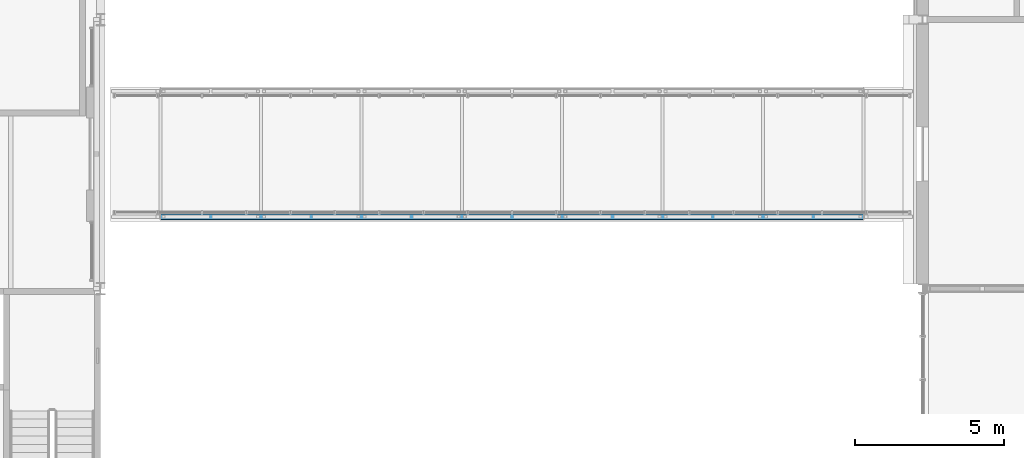
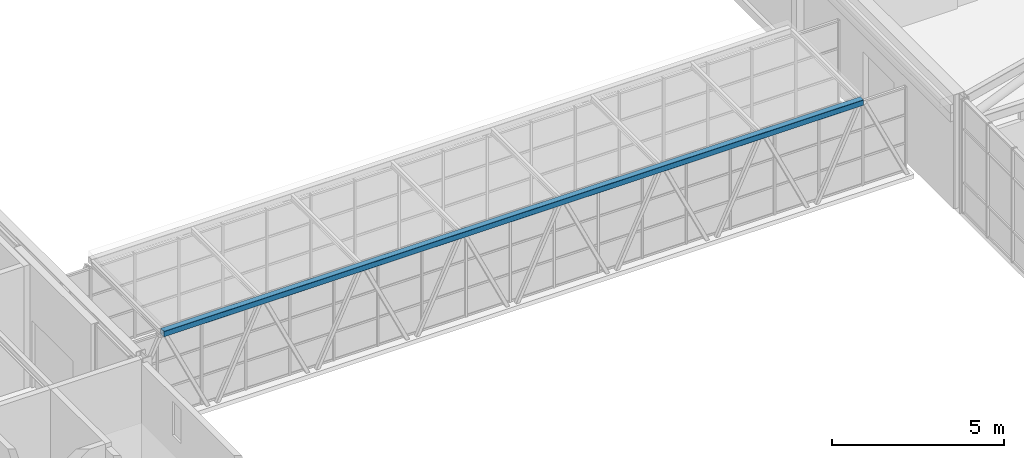
# One storey, part 55 of 149: 1 member.
"""IFC4 building model written with IfcOpenShell, lengths in metres."""

from ifc_helpers import new_model, si_unit, direction, frame, origin, origin_2d, place, context, subcontext, project, spatial, hollow_rectangle, extrude, material, material_profile, profile_set, type_object, element, save


model = new_model("IFC4")

# Units and contexts
model_context = context("Model", 3, precision=1e-05, world=origin(), true_north=direction((0.0, 1.0)))
body_context = subcontext(model_context, "Body", "Model", "MODEL_VIEW")
ifc_project = project(units=[si_unit("LENGTHUNIT", "METRE"), si_unit("AREAUNIT", "SQUARE_METRE"), si_unit("VOLUMEUNIT", "CUBIC_METRE"), si_unit("PLANEANGLEUNIT", "RADIAN"), si_unit("MASSUNIT", "GRAM", prefix="KILO")], contexts=[model_context])

# Site, building, storey
site_placement = place(None, origin())
site = spatial("IfcSite", under=ifc_project, at=site_placement, CompositionType="ELEMENT")
building_placement = place(site_placement, origin())
building = spatial("IfcBuilding", under=site, at=building_placement, Name="Kallimachos Central Library", CompositionType="ELEMENT")
storey_placement = place(building_placement, frame((0.0, 0.0, 9.89990234375)))
storey = spatial("IfcBuildingStorey", under=building, at=storey_placement, Name="L02", CompositionType="ELEMENT", Elevation=9.89990234375)

# Member
ifc_material = material(Name="Steel S355J2H", Category="steel")
ifc_material_profile = material_profile(ifc_material, hollow_rectangle(XDim=0.199951171875, YDim=0.199951171875, WallThickness=0.010009765625, InnerFilletRadius=0.010009765625, OuterFilletRadius=0.014892578125, at=origin_2d()), Name="SHS 200x200x10")
ifc_profile_set = profile_set([ifc_material_profile], Name="Steel S355J2H")
member_type = type_object("IfcMemberType", Name="SHS 200x200x10 chord", PredefinedType="CHORD", material=ifc_profile_set)
member_placement = place(storey_placement, frame((112.504638671875, 98.39990234375, 3.10009765625), z_axis=(1.0, 0.0, 0.0), x_axis=(0.0, 1.0, 0.0)))
element("IfcMember", 1, at=member_placement, inside=storey, type_object=member_type, Name="links-MEM-L02-035", PredefinedType="CHORD", context=body_context, shape_type="SweptSolid", body=[
    extrude(hollow_rectangle(XDim=0.199951171875, YDim=0.199951171875, WallThickness=0.010009765625, InnerFilletRadius=0.010009765625, OuterFilletRadius=0.014892578125, at=origin_2d()), origin(), (0.0, 0.0, 1.0), 23.515625),
])

save(model, "model.ifc")
